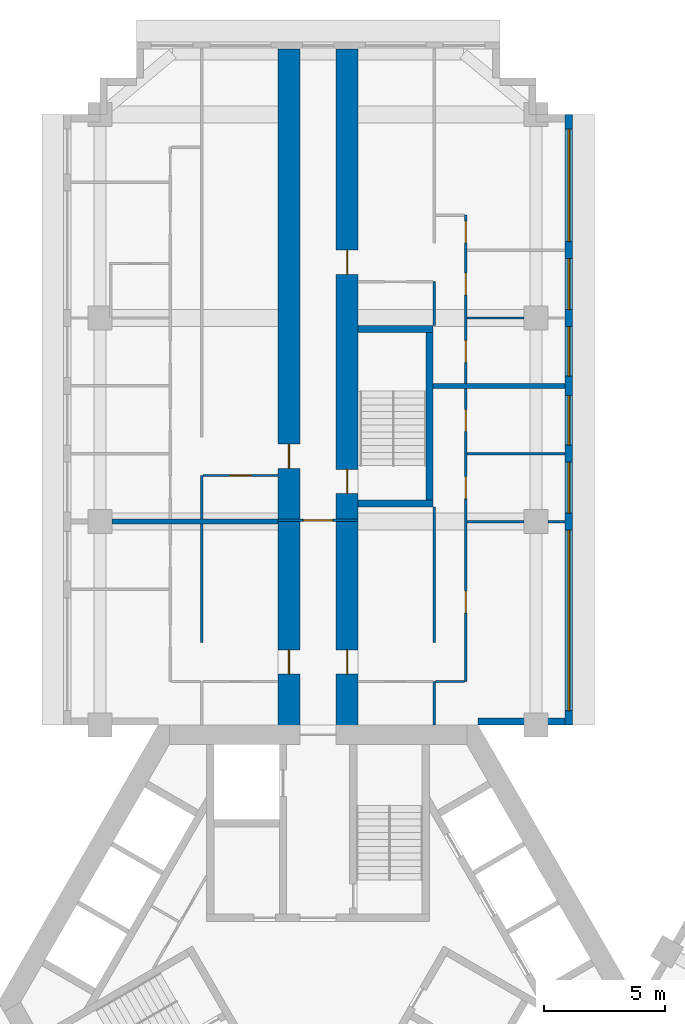
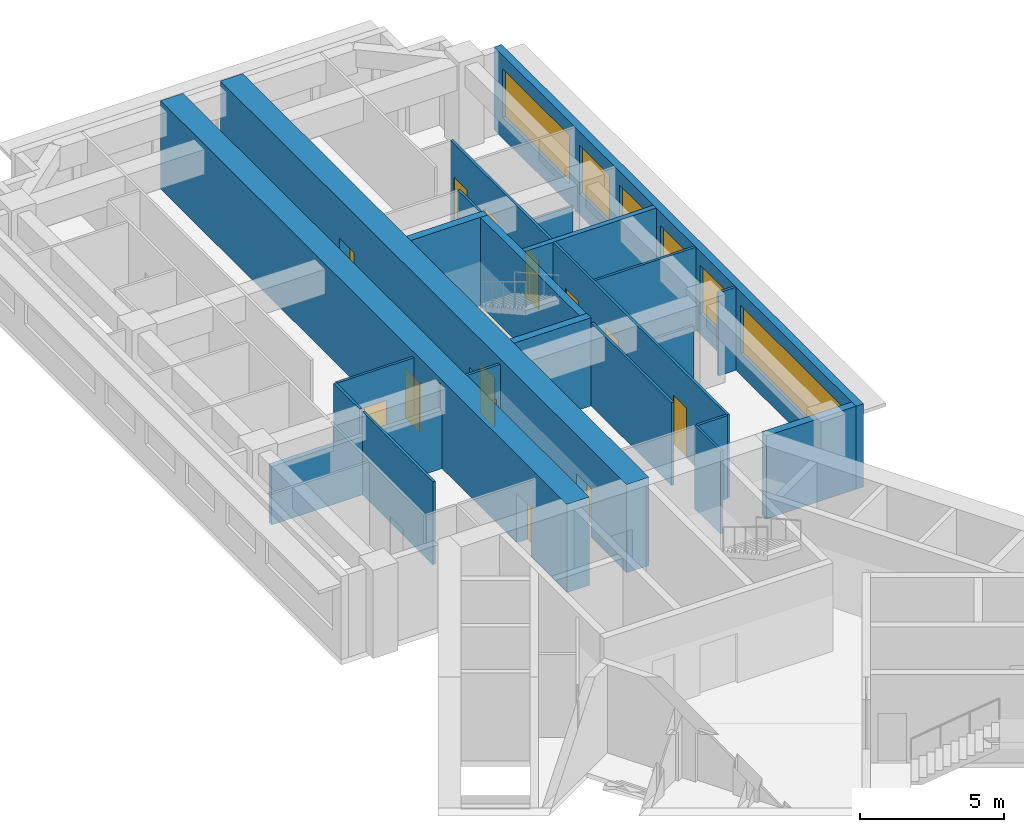
# One storey, part 9 of 12: 23 walls, 13 doors, 6 windows, 19 openings.
"""IFC4 building model written with IfcOpenShell, lengths in metres."""

from ifc_helpers import new_model, si_unit, direction, frame, frame_2d, origin, place, context, subcontext, project, spatial, rectangle, extrude, material, layer, layer_set, type_object, element, fill, save


model = new_model("IFC4")

# Units and contexts
model_context = context("Model", 3, precision=1e-05, world=origin(), true_north=direction((0.0, 1.0)))
body_context = subcontext(model_context, "Body", "Model", "MODEL_VIEW")
ifc_project = project(units=[si_unit("LENGTHUNIT", "METRE"), si_unit("AREAUNIT", "SQUARE_METRE"), si_unit("VOLUMEUNIT", "CUBIC_METRE"), si_unit("PLANEANGLEUNIT", "RADIAN"), si_unit("MASSUNIT", "GRAM", prefix="KILO")], contexts=[model_context])

# Site, building, storey
site_placement = place(None, origin())
site = spatial("IfcSite", under=ifc_project, at=site_placement, CompositionType="ELEMENT")
building_placement = place(site_placement, origin())
building = spatial("IfcBuilding", under=site, at=building_placement, Name="Impinga Residences", CompositionType="ELEMENT")
storey_placement = place(building_placement, frame((0.0, 0.0, 169.75)))
storey = spatial("IfcBuildingStorey", under=building, at=storey_placement, Name="L42", CompositionType="ELEMENT", Elevation=169.75)

# Wall, openings, doors
ifc_material_1 = material(Name="Concrete C60/75", Category="concrete")
ifc_layer_1 = layer(ifc_material_1, 0.89990234375)
ifc_layer_set_1 = layer_set([ifc_layer_1], Name="Concrete C60/75")
wall_type_1 = type_object("IfcWallType", Name="BW2 corridor buttress wall, L24 to L44 900", PredefinedType="SHEAR", material=ifc_layer_set_1)
wall_1_placement = place(storey_placement, frame((-1.199951171875, 11.031494140625, 0.0), z_axis=(0.0, 0.0, 1.0), x_axis=(0.0, 1.0, 0.0)))
wall_1 = element("IfcWall", 1, at=wall_1_placement, inside=storey, type_object=wall_type_1, Name="Corridor wall BW2 NC L42", PredefinedType="SHEAR", context=body_context, shape_type="SweptSolid", body=[
    extrude(rectangle(XDim=28.300048828125, YDim=0.89990234375, at=frame_2d((14.14990234375, 0.0))), origin(), (0.0, 0.0, 1.0), 3.75),
])
opening_1_placement = place(wall_1_placement, frame((2.5, 0.0, 0.0)))
opening_1 = element("IfcOpeningElement", 2, at=opening_1_placement, cuts=wall_1, Name="Opening D1", PredefinedType="OPENING", context=body_context, shape_type="SweptSolid", body=[
    extrude(rectangle(XDim=1.0, YDim=2.10009765625, at=frame_2d((0.5, 1.050048828125))), frame((0.0, 0.4599609375, 0.0), z_axis=(0.0, -1.0, 0.0), x_axis=(1.0, 0.0, 0.0)), (0.0, 0.0, 1.0), 0.919921875),
])
opening_2_placement = place(wall_1_placement, frame((11.0, 0.0, 0.0)))
opening_2 = element("IfcOpeningElement", 3, at=opening_2_placement, cuts=wall_1, Name="Opening D1", PredefinedType="OPENING", context=body_context, shape_type="SweptSolid", body=[
    extrude(rectangle(XDim=1.0, YDim=2.10009765625, at=frame_2d((0.5, 1.050048828125))), frame((0.0, 0.4599609375, 0.0), z_axis=(0.0, -1.0, 0.0), x_axis=(1.0, 0.0, 0.0)), (0.0, 0.0, 1.0), 0.919921875),
])
ifc_material_2 = material(Name="Timber door set", Category="wood")
door_type_1 = type_object("IfcDoorType", Name="D1 apartment entrance door 1000x2100", OperationType="SINGLE_SWING_LEFT", PredefinedType="DOOR", material=ifc_material_2)
door_1_placement = place(opening_1_placement, origin())
door_1 = element("IfcDoor", 4, at=door_1_placement, inside=storey, type_object=door_type_1, Name="Apartment L42-NA1 entrance", OperationType="SINGLE_SWING_LEFT", OverallHeight=2.10009765625, OverallWidth=1.0, PredefinedType="DOOR", context=body_context, shape_type="SweptSolid", body=[
    extrude(rectangle(XDim=1.0, YDim=2.10009765625, at=frame_2d((0.5, 1.050048828125))), frame((0.0, 0.02490234375, 0.0), z_axis=(0.0, -1.0, 0.0), x_axis=(1.0, 0.0, 0.0)), (0.0, 0.0, 1.0), 0.050048828125),
])
fill(opening_1, door_1)
door_2_placement = place(opening_2_placement, origin())
door_2 = element("IfcDoor", 5, at=door_2_placement, inside=storey, type_object=door_type_1, Name="Apartment L42-NA2 entrance", OperationType="SINGLE_SWING_LEFT", OverallHeight=2.10009765625, OverallWidth=1.0, PredefinedType="DOOR", context=body_context, shape_type="SweptSolid", body=[
    extrude(rectangle(XDim=1.0, YDim=2.10009765625, at=frame_2d((0.5, 1.050048828125))), frame((0.0, 0.02490234375, 0.0), z_axis=(0.0, -1.0, 0.0), x_axis=(1.0, 0.0, 0.0)), (0.0, 0.0, 1.0), 0.050048828125),
])
fill(opening_2, door_2)

wall_2_placement = place(storey_placement, frame((1.199951171875, 11.031494140625, 0.0), z_axis=(0.0, 0.0, 1.0), x_axis=(0.0, 1.0, 0.0)))
wall_2 = element("IfcWall", 6, at=wall_2_placement, inside=storey, type_object=wall_type_1, Name="Corridor wall BW2 ND L42", PredefinedType="SHEAR", context=body_context, shape_type="SweptSolid", body=[
    extrude(rectangle(XDim=28.300048828125, YDim=0.89990234375, at=frame_2d((14.14990234375, 0.0))), origin(), (0.0, 0.0, 1.0), 3.75),
])
opening_3_placement = place(wall_2_placement, frame((9.949951171875, 0.0, 0.0)))
opening_3 = element("IfcOpeningElement", 7, at=opening_3_placement, cuts=wall_2, Name="Opening D5", PredefinedType="OPENING", context=body_context, shape_type="SweptSolid", body=[
    extrude(rectangle(XDim=1.0, YDim=2.10009765625, at=frame_2d((0.5, 1.050048828125))), frame((0.0, 0.4599609375, 0.0), z_axis=(0.0, -1.0, 0.0), x_axis=(1.0, 0.0, 0.0)), (0.0, 0.0, 1.0), 0.919921875),
])
opening_4_placement = place(wall_2_placement, frame((2.5, 0.0, 0.0)))
opening_4 = element("IfcOpeningElement", 8, at=opening_4_placement, cuts=wall_2, Name="Opening D1", PredefinedType="OPENING", context=body_context, shape_type="SweptSolid", body=[
    extrude(rectangle(XDim=1.0, YDim=2.10009765625, at=frame_2d((0.5, 1.050048828125))), frame((0.0, 0.4599609375, 0.0), z_axis=(0.0, -1.0, 0.0), x_axis=(1.0, 0.0, 0.0)), (0.0, 0.0, 1.0), 0.919921875),
])
opening_5_placement = place(wall_2_placement, frame((19.0, 0.0, 0.0)))
opening_5 = element("IfcOpeningElement", 9, at=opening_5_placement, cuts=wall_2, Name="Opening D1", PredefinedType="OPENING", context=body_context, shape_type="SweptSolid", body=[
    extrude(rectangle(XDim=1.0, YDim=2.10009765625, at=frame_2d((0.5, 1.050048828125))), frame((0.0, 0.4599609375, 0.0), z_axis=(0.0, -1.0, 0.0), x_axis=(1.0, 0.0, 0.0)), (0.0, 0.0, 1.0), 0.919921875),
])
door_3_placement = place(opening_4_placement, origin())
door_3 = element("IfcDoor", 10, at=door_3_placement, inside=storey, type_object=door_type_1, Name="Apartment L42-NF1 entrance", OperationType="SINGLE_SWING_LEFT", OverallHeight=2.10009765625, OverallWidth=1.0, PredefinedType="DOOR", context=body_context, shape_type="SweptSolid", body=[
    extrude(rectangle(XDim=1.0, YDim=2.10009765625, at=frame_2d((0.5, 1.050048828125))), frame((0.0, 0.02490234375, 0.0), z_axis=(0.0, -1.0, 0.0), x_axis=(1.0, 0.0, 0.0)), (0.0, 0.0, 1.0), 0.050048828125),
])
fill(opening_4, door_3)
door_4_placement = place(opening_5_placement, origin())
door_4 = element("IfcDoor", 11, at=door_4_placement, inside=storey, type_object=door_type_1, Name="Apartment L42-NF2 entrance", OperationType="SINGLE_SWING_RIGHT", OverallHeight=2.10009765625, OverallWidth=1.0, PredefinedType="DOOR", context=body_context, shape_type="SweptSolid", body=[
    extrude(rectangle(XDim=1.0, YDim=2.10009765625, at=frame_2d((0.5, 1.050048828125))), frame((0.0, 0.02490234375, 0.0), z_axis=(0.0, -1.0, 0.0), x_axis=(1.0, 0.0, 0.0)), (0.0, 0.0, 1.0), 0.050048828125),
])
fill(opening_5, door_4)
door_type_2 = type_object("IfcDoorType", Name="D5 stair door 1000x2100", OperationType="SINGLE_SWING_LEFT", PredefinedType="DOOR", material=ifc_material_2)
door_5_placement = place(opening_3_placement, origin())
door_5 = element("IfcDoor", 12, at=door_5_placement, inside=storey, type_object=door_type_2, Name="Wing stair door N", OperationType="SINGLE_SWING_LEFT", OverallHeight=2.10009765625, OverallWidth=1.0, PredefinedType="DOOR", context=body_context, shape_type="SweptSolid", body=[
    extrude(rectangle(XDim=1.0, YDim=2.10009765625, at=frame_2d((0.5, 1.050048828125))), frame((0.0, 0.02490234375, 0.0), z_axis=(0.0, -1.0, 0.0), x_axis=(1.0, 0.0, 0.0)), (0.0, 0.0, 1.0), 0.050048828125),
])
fill(opening_3, door_5)

# Wall, opening, door
ifc_material_3 = material(Name="Concrete blockwork", Category="masonry")
ifc_layer_2 = layer(ifc_material_3, 0.10009765625)
ifc_layer_set_2 = layer_set([ifc_layer_2], Name="CP1 core room partition, blockwork 100")
wall_type_2 = type_object("IfcWallType", Name="CP1 core room partition, blockwork 100", PredefinedType="PARTITIONING", material=ifc_layer_set_2)
wall_3_placement = place(storey_placement, frame((-1.64990234375, 19.882080078125, 0.0), z_axis=(0.0, 0.0, 1.0), x_axis=(1.0, 0.0, 0.0)))
wall_3 = element("IfcWall", 13, at=wall_3_placement, inside=storey, type_object=wall_type_2, Name="Core room partition, blockwork L42:N:SCR", PredefinedType="PARTITIONING", context=body_context, shape_type="SweptSolid", body=[
    extrude(rectangle(XDim=3.2998046875, YDim=0.10009765625, at=frame_2d((1.64990234375, 0.0))), origin(), (0.0, 0.0, 1.0), 3.530029296875),
])
opening_6_placement = place(wall_3_placement, frame((1.050048828125, 0.0, 0.0)))
opening_6 = element("IfcOpeningElement", 14, at=opening_6_placement, cuts=wall_3, Name="Opening D3", PredefinedType="OPENING", context=body_context, shape_type="SweptSolid", body=[
    extrude(rectangle(XDim=1.199951171875, YDim=2.10009765625, at=frame_2d((0.60009765625, 1.050048828125))), frame((0.0, 0.06005859375, 0.0), z_axis=(0.0, -1.0, 0.0), x_axis=(1.0, 0.0, 0.0)), (0.0, 0.0, 1.0), 0.1201171875),
])
door_type_3 = type_object("IfcDoorType", Name="D3 room door, leaf and a half 1200x2100", OperationType="DOUBLE_SWING_LEFT", PredefinedType="DOOR", material=ifc_material_2)
door_6_placement = place(opening_6_placement, origin())
door_6 = element("IfcDoor", 15, at=door_6_placement, inside=storey, type_object=door_type_3, Name="Corridor smoke door N", OperationType="DOUBLE_SWING_LEFT", OverallHeight=2.10009765625, OverallWidth=1.199951171875, PredefinedType="DOOR", context=body_context, shape_type="SweptSolid", body=[
    extrude(rectangle(XDim=1.199951171875, YDim=2.10009765625, at=frame_2d((0.60009765625, 1.050048828125))), frame((0.0, 0.02490234375, 0.0), z_axis=(0.0, -1.0, 0.0), x_axis=(1.0, 0.0, 0.0)), (0.0, 0.0, 1.0), 0.050048828125),
])
fill(opening_6, door_6)

# Wall, openings, windows
ifc_material_4 = material(Name="Terracotta rainscreen on blockwork", Category="masonry")
ifc_layer_3 = layer(ifc_material_4, 0.300048828125)
ifc_layer_set_3 = layer_set([ifc_layer_3], Name="EW1 external wall, terracotta rainscreen on blockwork 300")
wall_type_3 = type_object("IfcWallType", Name="EW1 external wall, terracotta rainscreen on blockwork 300", PredefinedType="SOLIDWALL", material=ifc_layer_set_3)
wall_4_placement = place(storey_placement, frame((10.35009765625, 36.631591796875, 0.0), z_axis=(0.0, 0.0, 1.0), x_axis=(0.0, -1.0, 0.0)))
wall_4 = element("IfcWall", 16, at=wall_4_placement, inside=storey, type_object=wall_type_3, Name="External wall EW1 L42", PredefinedType="SOLIDWALL", context=body_context, shape_type="SweptSolid", body=[
    extrude(rectangle(XDim=25.199951171875, YDim=0.300048828125, at=frame_2d((12.60009765625, 0.0))), origin(), (0.0, 0.0, 1.0), 3.530029296875),
])
opening_7_placement = place(wall_4_placement, frame((0.60009765625, 0.0, 0.89990234375)))
opening_7 = element("IfcOpeningElement", 17, at=opening_7_placement, cuts=wall_4, Name="Opening W10", PredefinedType="OPENING", context=body_context, shape_type="SweptSolid", body=[
    extrude(rectangle(XDim=4.64990234375, YDim=2.050048828125, at=frame_2d((2.324951171875, 1.02490234375))), frame((0.0, 0.159912109375, 0.0), z_axis=(0.0, -1.0, 0.0), x_axis=(1.0, 0.0, 0.0)), (0.0, 0.0, 1.0), 0.320068359375),
])
opening_8_placement = place(wall_4_placement, frame((5.949951171875, 0.0, 0.89990234375)))
opening_8 = element("IfcOpeningElement", 18, at=opening_8_placement, cuts=wall_4, Name="Opening W9", PredefinedType="OPENING", context=body_context, shape_type="SweptSolid", body=[
    extrude(rectangle(XDim=2.10009765625, YDim=2.050048828125, at=frame_2d((1.050048828125, 1.02490234375))), frame((0.0, 0.159912109375, 0.0), z_axis=(0.0, -1.0, 0.0), x_axis=(1.0, 0.0, 0.0)), (0.0, 0.0, 1.0), 0.320068359375),
])
opening_9_placement = place(wall_4_placement, frame((8.75, 0.0, 0.89990234375)))
opening_9 = element("IfcOpeningElement", 19, at=opening_9_placement, cuts=wall_4, Name="Opening W14", PredefinedType="OPENING", context=body_context, shape_type="SweptSolid", body=[
    extrude(rectangle(XDim=2.050048828125, YDim=2.050048828125, at=frame_2d((1.02490234375, 1.02490234375))), frame((0.0, 0.159912109375, 0.0), z_axis=(0.0, -1.0, 0.0), x_axis=(1.0, 0.0, 0.0)), (0.0, 0.0, 1.0), 0.320068359375),
])
opening_10_placement = place(wall_4_placement, frame((11.60009765625, 0.0, 0.89990234375)))
opening_10 = element("IfcOpeningElement", 20, at=opening_10_placement, cuts=wall_4, Name="Opening W14", PredefinedType="OPENING", context=body_context, shape_type="SweptSolid", body=[
    extrude(rectangle(XDim=2.050048828125, YDim=2.050048828125, at=frame_2d((1.02490234375, 1.02490234375))), frame((0.0, 0.159912109375, 0.0), z_axis=(0.0, -1.0, 0.0), x_axis=(1.0, 0.0, 0.0)), (0.0, 0.0, 1.0), 0.320068359375),
])
opening_11_placement = place(wall_4_placement, frame((14.35009765625, 0.0, 0.89990234375)))
opening_11 = element("IfcOpeningElement", 21, at=opening_11_placement, cuts=wall_4, Name="Opening W9", PredefinedType="OPENING", context=body_context, shape_type="SweptSolid", body=[
    extrude(rectangle(XDim=2.10009765625, YDim=2.050048828125, at=frame_2d((1.050048828125, 1.02490234375))), frame((0.0, 0.159912109375, 0.0), z_axis=(0.0, -1.0, 0.0), x_axis=(1.0, 0.0, 0.0)), (0.0, 0.0, 1.0), 0.320068359375),
])
opening_12_placement = place(wall_4_placement, frame((17.14990234375, 0.0, 0.89990234375)))
opening_12 = element("IfcOpeningElement", 22, at=opening_12_placement, cuts=wall_4, Name="Opening W7", PredefinedType="OPENING", context=body_context, shape_type="SweptSolid", body=[
    extrude(rectangle(XDim=7.449951171875, YDim=2.050048828125, at=frame_2d((3.72509765625, 1.02490234375))), frame((0.0, 0.159912109375, 0.0), z_axis=(0.0, -1.0, 0.0), x_axis=(1.0, 0.0, 0.0)), (0.0, 0.0, 1.0), 0.320068359375),
])
ifc_material_5 = material(Name="Aluminium window, clear double glazing", Category="aluminium")
window_type_1 = type_object("IfcWindowType", Name="W10 ribbon window 4650x2050", PartitioningType="SINGLE_PANEL", PredefinedType="WINDOW", material=ifc_material_5)
window_1_placement = place(opening_7_placement, origin())
window_1 = element("IfcWindow", 23, at=window_1_placement, inside=storey, type_object=window_type_1, Name="Window L42", OverallHeight=2.050048828125, OverallWidth=4.64990234375, PartitioningType="SINGLE_PANEL", PredefinedType="WINDOW", context=body_context, shape_type="SweptSolid", body=[
    extrude(rectangle(XDim=4.64990234375, YDim=2.050048828125, at=frame_2d((2.324951171875, 1.02490234375))), frame((0.0, 0.030029296875, 0.0), z_axis=(0.0, -1.0, 0.0), x_axis=(1.0, 0.0, 0.0)), (0.0, 0.0, 1.0), 0.06005859375),
])
fill(opening_7, window_1)
window_type_2 = type_object("IfcWindowType", Name="W14 ribbon window 2050x2050", PartitioningType="SINGLE_PANEL", PredefinedType="WINDOW", material=ifc_material_5)
window_2_placement = place(opening_9_placement, origin())
window_2 = element("IfcWindow", 24, at=window_2_placement, inside=storey, type_object=window_type_2, Name="Window L42", OverallHeight=2.050048828125, OverallWidth=2.050048828125, PartitioningType="SINGLE_PANEL", PredefinedType="WINDOW", context=body_context, shape_type="SweptSolid", body=[
    extrude(rectangle(XDim=2.050048828125, YDim=2.050048828125, at=frame_2d((1.02490234375, 1.02490234375))), frame((0.0, 0.030029296875, 0.0), z_axis=(0.0, -1.0, 0.0), x_axis=(1.0, 0.0, 0.0)), (0.0, 0.0, 1.0), 0.06005859375),
])
fill(opening_9, window_2)
window_3_placement = place(opening_10_placement, origin())
window_3 = element("IfcWindow", 25, at=window_3_placement, inside=storey, type_object=window_type_2, Name="Window L42", OverallHeight=2.050048828125, OverallWidth=2.050048828125, PartitioningType="SINGLE_PANEL", PredefinedType="WINDOW", context=body_context, shape_type="SweptSolid", body=[
    extrude(rectangle(XDim=2.050048828125, YDim=2.050048828125, at=frame_2d((1.02490234375, 1.02490234375))), frame((0.0, 0.030029296875, 0.0), z_axis=(0.0, -1.0, 0.0), x_axis=(1.0, 0.0, 0.0)), (0.0, 0.0, 1.0), 0.06005859375),
])
fill(opening_10, window_3)
window_type_3 = type_object("IfcWindowType", Name="W7 ribbon window 7450x2050", PartitioningType="SINGLE_PANEL", PredefinedType="WINDOW", material=ifc_material_5)
window_4_placement = place(opening_12_placement, origin())
window_4 = element("IfcWindow", 26, at=window_4_placement, inside=storey, type_object=window_type_3, Name="Window L42", OverallHeight=2.050048828125, OverallWidth=7.449951171875, PartitioningType="SINGLE_PANEL", PredefinedType="WINDOW", context=body_context, shape_type="SweptSolid", body=[
    extrude(rectangle(XDim=7.449951171875, YDim=2.050048828125, at=frame_2d((3.72509765625, 1.02490234375))), frame((0.0, 0.030029296875, 0.0), z_axis=(0.0, -1.0, 0.0), x_axis=(1.0, 0.0, 0.0)), (0.0, 0.0, 1.0), 0.06005859375),
])
fill(opening_12, window_4)
window_type_4 = type_object("IfcWindowType", Name="W9 ribbon window 2100x2050", PartitioningType="SINGLE_PANEL", PredefinedType="WINDOW", material=ifc_material_5)
window_5_placement = place(opening_8_placement, origin())
window_5 = element("IfcWindow", 27, at=window_5_placement, inside=storey, type_object=window_type_4, Name="Window L42", OverallHeight=2.050048828125, OverallWidth=2.10009765625, PartitioningType="SINGLE_PANEL", PredefinedType="WINDOW", context=body_context, shape_type="SweptSolid", body=[
    extrude(rectangle(XDim=2.10009765625, YDim=2.050048828125, at=frame_2d((1.050048828125, 1.02490234375))), frame((0.0, 0.030029296875, 0.0), z_axis=(0.0, -1.0, 0.0), x_axis=(1.0, 0.0, 0.0)), (0.0, 0.0, 1.0), 0.06005859375),
])
fill(opening_8, window_5)
window_6_placement = place(opening_11_placement, origin())
window_6 = element("IfcWindow", 28, at=window_6_placement, inside=storey, type_object=window_type_4, Name="Window L42", OverallHeight=2.050048828125, OverallWidth=2.10009765625, PartitioningType="SINGLE_PANEL", PredefinedType="WINDOW", context=body_context, shape_type="SweptSolid", body=[
    extrude(rectangle(XDim=2.10009765625, YDim=2.050048828125, at=frame_2d((1.050048828125, 1.02490234375))), frame((0.0, 0.030029296875, 0.0), z_axis=(0.0, -1.0, 0.0), x_axis=(1.0, 0.0, 0.0)), (0.0, 0.0, 1.0), 0.06005859375),
])
fill(opening_11, window_6)

# Walls
wall_5_placement = place(storey_placement, frame((10.199951171875, 11.58154296875, 0.0), z_axis=(0.0, 0.0, 1.0), x_axis=(-1.0, 0.0, 0.0)))
element("IfcWall", 29, at=wall_5_placement, inside=storey, type_object=wall_type_3, Name="External wall EW1 L42", PredefinedType="SOLIDWALL", context=body_context, shape_type="SweptSolid", body=[
    extrude(rectangle(XDim=3.599853515625, YDim=0.300048828125, at=frame_2d((1.7998046875, 0.0))), origin(), (0.0, 0.0, 1.0), 3.530029296875),
])
ifc_material_6 = material(Name="Gypsum board on steel studs", Category="steel")
ifc_layer_4 = layer(ifc_material_6, 0.10009765625)
ifc_layer_set_4 = layer_set([ifc_layer_4], Name="Gypsum board on steel studs")
wall_type_4 = type_object("IfcWallType", Name="IP1 partition 100", PredefinedType="PARTITIONING", material=ifc_layer_set_4)
wall_6_placement = place(storey_placement, frame((-4.800048828125, 14.83154296875, 0.0), z_axis=(0.0, 0.0, 1.0), x_axis=(0.0, 1.0, 0.0)))
element("IfcWall", 30, at=wall_6_placement, inside=storey, type_object=wall_type_4, Name="Partition L42-NA1:DIV1", PredefinedType="PARTITIONING", context=body_context, shape_type="SweptSolid", body=[
    extrude(rectangle(XDim=4.89990234375, YDim=0.10009765625, at=frame_2d((2.449951171875, 0.0))), origin(), (0.0, 0.0, 1.0), 3.530029296875),
])
wall_7_placement = place(storey_placement, frame((-4.800048828125, 19.931640625, 0.0), z_axis=(0.0, 0.0, 1.0), x_axis=(0.0, 1.0, 0.0)))
element("IfcWall", 31, at=wall_7_placement, inside=storey, type_object=wall_type_4, Name="Partition L42-NA2:DIV0", PredefinedType="PARTITIONING", context=body_context, shape_type="SweptSolid", body=[
    extrude(rectangle(XDim=1.7998046875, YDim=0.10009765625, at=frame_2d((0.89990234375, 0.0))), origin(), (0.0, 0.0, 1.0), 3.530029296875),
])

# Wall, opening, door
wall_8_placement = place(storey_placement, frame((-1.64990234375, 21.7314453125, 0.0), z_axis=(0.0, 0.0, 1.0), x_axis=(-1.0, 0.0, 0.0)))
wall_8 = element("IfcWall", 32, at=wall_8_placement, inside=storey, type_object=wall_type_4, Name="Partition L42-NA2:IB1", PredefinedType="PARTITIONING", context=body_context, shape_type="SweptSolid", body=[
    extrude(rectangle(XDim=3.10009765625, YDim=0.10009765625, at=frame_2d((1.550048828125, 0.0))), origin(), (0.0, 0.0, 1.0), 3.530029296875),
])
opening_13_placement = place(wall_8_placement, frame((1.10009765625, 0.0, 0.0)))
opening_13 = element("IfcOpeningElement", 33, at=opening_13_placement, cuts=wall_8, Name="Opening D2", PredefinedType="OPENING", context=body_context, shape_type="SweptSolid", body=[
    extrude(rectangle(XDim=0.89990234375, YDim=2.10009765625, at=frame_2d((0.449951171875, 1.050048828125))), frame((0.0, 0.06005859375, 0.0), z_axis=(0.0, -1.0, 0.0), x_axis=(1.0, 0.0, 0.0)), (0.0, 0.0, 1.0), 0.1201171875),
])
door_type_4 = type_object("IfcDoorType", Name="D2 internal door 900x2100", OperationType="SINGLE_SWING_LEFT", PredefinedType="DOOR", material=ifc_material_2)
door_7_placement = place(opening_13_placement, origin())
door_7 = element("IfcDoor", 34, at=door_7_placement, inside=storey, type_object=door_type_4, Name="Apartment L42-NA2 bathroom door", OperationType="SINGLE_SWING_LEFT", OverallHeight=2.10009765625, OverallWidth=0.89990234375, PredefinedType="DOOR", context=body_context, shape_type="SweptSolid", body=[
    extrude(rectangle(XDim=0.89990234375, YDim=2.10009765625, at=frame_2d((0.449951171875, 1.050048828125))), frame((0.0, 0.02490234375, 0.0), z_axis=(0.0, -1.0, 0.0), x_axis=(1.0, 0.0, 0.0)), (0.0, 0.0, 1.0), 0.050048828125),
])
fill(opening_13, door_7)

# Walls
wall_9_placement = place(storey_placement, frame((4.800048828125, 11.431640625, 0.0), z_axis=(0.0, 0.0, 1.0), x_axis=(0.0, 1.0, 0.0)))
element("IfcWall", 35, at=wall_9_placement, inside=storey, type_object=wall_type_4, Name="Partition L42-NF1:DIV0", PredefinedType="PARTITIONING", context=body_context, shape_type="SweptSolid", body=[
    extrude(rectangle(XDim=1.7998046875, YDim=0.10009765625, at=frame_2d((0.89990234375, 0.0))), origin(), (0.0, 0.0, 1.0), 3.530029296875),
])
wall_10_placement = place(storey_placement, frame((4.800048828125, 14.83154296875, 0.0), z_axis=(0.0, 0.0, 1.0), x_axis=(0.0, 1.0, 0.0)))
element("IfcWall", 36, at=wall_10_placement, inside=storey, type_object=wall_type_4, Name="Partition L42-NF1:DIV1", PredefinedType="PARTITIONING", context=body_context, shape_type="SweptSolid", body=[
    extrude(rectangle(XDim=5.60009765625, YDim=0.10009765625, at=frame_2d((2.800048828125, 0.0))), origin(), (0.0, 0.0, 1.0), 3.530029296875),
])

# Wall, openings, doors
wall_11_placement = place(storey_placement, frame((6.10009765625, 13.2314453125, 0.0), z_axis=(0.0, 0.0, 1.0), x_axis=(0.0, 1.0, 0.0)))
wall_11 = element("IfcWall", 37, at=wall_11_placement, inside=storey, type_object=wall_type_4, Name="Partition L42-NF1:STRIP", PredefinedType="PARTITIONING", context=body_context, shape_type="SweptSolid", body=[
    extrude(rectangle(XDim=12.10009765625, YDim=0.10009765625, at=frame_2d((6.050048828125, 0.0))), origin(), (0.0, 0.0, 1.0), 3.530029296875),
])
opening_14_placement = place(wall_11_placement, frame((2.824951171875, 0.0, 0.0)))
opening_14 = element("IfcOpeningElement", 38, at=opening_14_placement, cuts=wall_11, Name="Opening D2", PredefinedType="OPENING", context=body_context, shape_type="SweptSolid", body=[
    extrude(rectangle(XDim=0.89990234375, YDim=2.10009765625, at=frame_2d((0.449951171875, 1.050048828125))), frame((0.0, 0.06005859375, 0.0), z_axis=(0.0, -1.0, 0.0), x_axis=(1.0, 0.0, 0.0)), (0.0, 0.0, 1.0), 0.1201171875),
])
opening_15_placement = place(wall_11_placement, frame((7.550048828125, 0.0, 0.0)))
opening_15 = element("IfcOpeningElement", 39, at=opening_15_placement, cuts=wall_11, Name="Opening D2", PredefinedType="OPENING", context=body_context, shape_type="SweptSolid", body=[
    extrude(rectangle(XDim=0.89990234375, YDim=2.10009765625, at=frame_2d((0.449951171875, 1.050048828125))), frame((0.0, 0.06005859375, 0.0), z_axis=(0.0, -1.0, 0.0), x_axis=(1.0, 0.0, 0.0)), (0.0, 0.0, 1.0), 0.1201171875),
])
opening_16_placement = place(wall_11_placement, frame((10.324951171875, 0.0, 0.0)))
opening_16 = element("IfcOpeningElement", 40, at=opening_16_placement, cuts=wall_11, Name="Opening D2", PredefinedType="OPENING", context=body_context, shape_type="SweptSolid", body=[
    extrude(rectangle(XDim=0.89990234375, YDim=2.10009765625, at=frame_2d((0.449951171875, 1.050048828125))), frame((0.0, 0.06005859375, 0.0), z_axis=(0.0, -1.0, 0.0), x_axis=(1.0, 0.0, 0.0)), (0.0, 0.0, 1.0), 0.1201171875),
])
door_8_placement = place(opening_14_placement, origin())
door_8 = element("IfcDoor", 41, at=door_8_placement, inside=storey, type_object=door_type_4, Name="Apartment L42-NF1 room door", OperationType="SINGLE_SWING_LEFT", OverallHeight=2.10009765625, OverallWidth=0.89990234375, PredefinedType="DOOR", context=body_context, shape_type="SweptSolid", body=[
    extrude(rectangle(XDim=0.89990234375, YDim=2.10009765625, at=frame_2d((0.449951171875, 1.050048828125))), frame((0.0, 0.02490234375, 0.0), z_axis=(0.0, -1.0, 0.0), x_axis=(1.0, 0.0, 0.0)), (0.0, 0.0, 1.0), 0.050048828125),
])
fill(opening_14, door_8)
door_9_placement = place(opening_15_placement, origin())
door_9 = element("IfcDoor", 42, at=door_9_placement, inside=storey, type_object=door_type_4, Name="Apartment L42-NF1 room door", OperationType="SINGLE_SWING_RIGHT", OverallHeight=2.10009765625, OverallWidth=0.89990234375, PredefinedType="DOOR", context=body_context, shape_type="SweptSolid", body=[
    extrude(rectangle(XDim=0.89990234375, YDim=2.10009765625, at=frame_2d((0.449951171875, 1.050048828125))), frame((0.0, 0.02490234375, 0.0), z_axis=(0.0, -1.0, 0.0), x_axis=(1.0, 0.0, 0.0)), (0.0, 0.0, 1.0), 0.050048828125),
])
fill(opening_15, door_9)
door_10_placement = place(opening_16_placement, origin())
door_10 = element("IfcDoor", 43, at=door_10_placement, inside=storey, type_object=door_type_4, Name="Apartment L42-NF1 room door", OperationType="SINGLE_SWING_RIGHT", OverallHeight=2.10009765625, OverallWidth=0.89990234375, PredefinedType="DOOR", context=body_context, shape_type="SweptSolid", body=[
    extrude(rectangle(XDim=0.89990234375, YDim=2.10009765625, at=frame_2d((0.449951171875, 1.050048828125))), frame((0.0, 0.02490234375, 0.0), z_axis=(0.0, -1.0, 0.0), x_axis=(1.0, 0.0, 0.0)), (0.0, 0.0, 1.0), 0.050048828125),
])
fill(opening_16, door_10)

# Walls
wall_12_placement = place(storey_placement, frame((4.85009765625, 13.2314453125, 0.0), z_axis=(0.0, 0.0, 1.0), x_axis=(1.0, 0.0, 0.0)))
element("IfcWall", 44, at=wall_12_placement, inside=storey, type_object=wall_type_4, Name="Partition L42-NF1:SE0", PredefinedType="PARTITIONING", context=body_context, shape_type="SweptSolid", body=[
    extrude(rectangle(XDim=1.199951171875, YDim=0.10009765625, at=frame_2d((0.60009765625, 0.0))), origin(), (0.0, 0.0, 1.0), 3.530029296875),
])
wall_13_placement = place(storey_placement, frame((6.14990234375, 19.83154296875, 0.0), z_axis=(0.0, 0.0, 1.0), x_axis=(1.0, 0.0, 0.0)))
element("IfcWall", 45, at=wall_13_placement, inside=storey, type_object=wall_type_4, Name="Partition L42-NF1:OB1", PredefinedType="PARTITIONING", context=body_context, shape_type="SweptSolid", body=[
    extrude(rectangle(XDim=2.35009765625, YDim=0.10009765625, at=frame_2d((1.175048828125, 0.0))), origin(), (0.0, 0.0, 1.0), 2.47998046875),
])
wall_14_placement = place(storey_placement, frame((9.5, 19.83154296875, 0.0), z_axis=(0.0, 0.0, 1.0), x_axis=(1.0, 0.0, 0.0)))
element("IfcWall", 46, at=wall_14_placement, inside=storey, type_object=wall_type_4, Name="Partition L42-NF1:OB1b", PredefinedType="PARTITIONING", context=body_context, shape_type="SweptSolid", body=[
    extrude(rectangle(XDim=0.699951171875, YDim=0.10009765625, at=frame_2d((0.35009765625, 0.0))), origin(), (0.0, 0.0, 1.0), 3.530029296875),
])
wall_15_placement = place(storey_placement, frame((6.14990234375, 22.631591796875, 0.0), z_axis=(0.0, 0.0, 1.0), x_axis=(1.0, 0.0, 0.0)))
element("IfcWall", 47, at=wall_15_placement, inside=storey, type_object=wall_type_4, Name="Partition L42-NF1:OB2", PredefinedType="PARTITIONING", context=body_context, shape_type="SweptSolid", body=[
    extrude(rectangle(XDim=4.050048828125, YDim=0.10009765625, at=frame_2d((2.02490234375, 0.0))), origin(), (0.0, 0.0, 1.0), 3.530029296875),
])
wall_16_placement = place(storey_placement, frame((4.800048828125, 27.931640625, 0.0), z_axis=(0.0, 0.0, 1.0), x_axis=(0.0, 1.0, 0.0)))
element("IfcWall", 48, at=wall_16_placement, inside=storey, type_object=wall_type_4, Name="Partition L42-NF2:DIV0", PredefinedType="PARTITIONING", context=body_context, shape_type="SweptSolid", body=[
    extrude(rectangle(XDim=1.7998046875, YDim=0.10009765625, at=frame_2d((0.89990234375, 0.0))), origin(), (0.0, 0.0, 1.0), 3.530029296875),
])

# Wall, openings, doors
wall_17_placement = place(storey_placement, frame((6.10009765625, 25.531494140625, 0.0), z_axis=(0.0, 0.0, 1.0), x_axis=(0.0, 1.0, 0.0)))
wall_17 = element("IfcWall", 49, at=wall_17_placement, inside=storey, type_object=wall_type_4, Name="Partition L42-NF2:STRIP", PredefinedType="PARTITIONING", context=body_context, shape_type="SweptSolid", body=[
    extrude(rectangle(XDim=6.949951171875, YDim=0.10009765625, at=frame_2d((3.47509765625, 0.0))), origin(), (0.0, 0.0, 1.0), 3.530029296875),
])
opening_17_placement = place(wall_17_placement, frame((0.875, 0.0, 0.0)))
opening_17 = element("IfcOpeningElement", 50, at=opening_17_placement, cuts=wall_17, Name="Opening D2", PredefinedType="OPENING", context=body_context, shape_type="SweptSolid", body=[
    extrude(rectangle(XDim=0.89990234375, YDim=2.10009765625, at=frame_2d((0.449951171875, 1.050048828125))), frame((0.0, 0.06005859375, 0.0), z_axis=(0.0, -1.0, 0.0), x_axis=(1.0, 0.0, 0.0)), (0.0, 0.0, 1.0), 0.1201171875),
])
opening_18_placement = place(wall_17_placement, frame((3.64990234375, 0.0, 0.0)))
opening_18 = element("IfcOpeningElement", 51, at=opening_18_placement, cuts=wall_17, Name="Opening D2", PredefinedType="OPENING", context=body_context, shape_type="SweptSolid", body=[
    extrude(rectangle(XDim=0.89990234375, YDim=2.10009765625, at=frame_2d((0.449951171875, 1.050048828125))), frame((0.0, 0.06005859375, 0.0), z_axis=(0.0, -1.0, 0.0), x_axis=(1.0, 0.0, 0.0)), (0.0, 0.0, 1.0), 0.1201171875),
])
opening_19_placement = place(wall_17_placement, frame((5.800048828125, 0.0, 0.0)))
opening_19 = element("IfcOpeningElement", 52, at=opening_19_placement, cuts=wall_17, Name="Opening D2", PredefinedType="OPENING", context=body_context, shape_type="SweptSolid", body=[
    extrude(rectangle(XDim=0.89990234375, YDim=2.10009765625, at=frame_2d((0.449951171875, 1.050048828125))), frame((0.0, 0.06005859375, 0.0), z_axis=(0.0, -1.0, 0.0), x_axis=(1.0, 0.0, 0.0)), (0.0, 0.0, 1.0), 0.1201171875),
])
door_11_placement = place(opening_17_placement, origin())
door_11 = element("IfcDoor", 53, at=door_11_placement, inside=storey, type_object=door_type_4, Name="Apartment L42-NF2 room door", OperationType="SINGLE_SWING_LEFT", OverallHeight=2.10009765625, OverallWidth=0.89990234375, PredefinedType="DOOR", context=body_context, shape_type="SweptSolid", body=[
    extrude(rectangle(XDim=0.89990234375, YDim=2.10009765625, at=frame_2d((0.449951171875, 1.050048828125))), frame((0.0, 0.02490234375, 0.0), z_axis=(0.0, -1.0, 0.0), x_axis=(1.0, 0.0, 0.0)), (0.0, 0.0, 1.0), 0.050048828125),
])
fill(opening_17, door_11)
door_12_placement = place(opening_18_placement, origin())
door_12 = element("IfcDoor", 54, at=door_12_placement, inside=storey, type_object=door_type_4, Name="Apartment L42-NF2 room door", OperationType="SINGLE_SWING_RIGHT", OverallHeight=2.10009765625, OverallWidth=0.89990234375, PredefinedType="DOOR", context=body_context, shape_type="SweptSolid", body=[
    extrude(rectangle(XDim=0.89990234375, YDim=2.10009765625, at=frame_2d((0.449951171875, 1.050048828125))), frame((0.0, 0.02490234375, 0.0), z_axis=(0.0, -1.0, 0.0), x_axis=(1.0, 0.0, 0.0)), (0.0, 0.0, 1.0), 0.050048828125),
])
fill(opening_18, door_12)
door_13_placement = place(opening_19_placement, origin())
door_13 = element("IfcDoor", 55, at=door_13_placement, inside=storey, type_object=door_type_4, Name="Apartment L42-NF2 room door", OperationType="SINGLE_SWING_RIGHT", OverallHeight=2.10009765625, OverallWidth=0.89990234375, PredefinedType="DOOR", context=body_context, shape_type="SweptSolid", body=[
    extrude(rectangle(XDim=0.89990234375, YDim=2.10009765625, at=frame_2d((0.449951171875, 1.050048828125))), frame((0.0, 0.02490234375, 0.0), z_axis=(0.0, -1.0, 0.0), x_axis=(1.0, 0.0, 0.0)), (0.0, 0.0, 1.0), 0.050048828125),
])
fill(opening_19, door_13)

# Walls
wall_18_placement = place(storey_placement, frame((6.14990234375, 28.2314453125, 0.0), z_axis=(0.0, 0.0, 1.0), x_axis=(1.0, 0.0, 0.0)))
element("IfcWall", 56, at=wall_18_placement, inside=storey, type_object=wall_type_4, Name="Partition L42-NF2:OB1", PredefinedType="PARTITIONING", context=body_context, shape_type="SweptSolid", body=[
    extrude(rectangle(XDim=2.35009765625, YDim=0.10009765625, at=frame_2d((1.175048828125, 0.0))), origin(), (0.0, 0.0, 1.0), 2.47998046875),
])
ifc_layer_5 = layer(ifc_material_3, 0.199951171875)
ifc_layer_set_5 = layer_set([ifc_layer_5], Name="PW1 party wall between apartments 200")
wall_type_5 = type_object("IfcWallType", Name="PW1 party wall between apartments 200", PredefinedType="SOLIDWALL", material=ifc_layer_set_5)
wall_19_placement = place(storey_placement, frame((-1.64990234375, 19.83154296875, 0.0), z_axis=(0.0, 0.0, 1.0), x_axis=(-1.0, 0.0, 0.0)))
element("IfcWall", 57, at=wall_19_placement, inside=storey, type_object=wall_type_5, Name="Party wall between apartments L42-NA1:PARTY", PredefinedType="SOLIDWALL", context=body_context, shape_type="SweptSolid", body=[
    extrude(rectangle(XDim=6.85009765625, YDim=0.199951171875, at=frame_2d((3.425048828125, 0.0))), origin(), (0.0, 0.0, 1.0), 2.47998046875),
])
wall_20_placement = place(storey_placement, frame((4.75, 25.431640625, 0.0), z_axis=(0.0, 0.0, 1.0), x_axis=(1.0, 0.0, 0.0)))
element("IfcWall", 58, at=wall_20_placement, inside=storey, type_object=wall_type_5, Name="Party wall between apartments L42-NF1:PARTY", PredefinedType="SOLIDWALL", context=body_context, shape_type="SweptSolid", body=[
    extrude(rectangle(XDim=5.449951171875, YDim=0.199951171875, at=frame_2d((2.72509765625, 0.0))), origin(), (0.0, 0.0, 1.0), 3.530029296875),
])
ifc_layer_6 = layer(ifc_material_1, 0.300048828125)
ifc_layer_set_6 = layer_set([ifc_layer_6], Name="Concrete C60/75")
wall_type_6 = type_object("IfcWallType", Name="SE1 wing stair enclosure wall 300", PredefinedType="SOLIDWALL", material=ifc_layer_set_6)
for number, where, z_axis, x_axis, name in (
    (59, (1.64990234375, 20.58154296875, 0.0), (0.0, 0.0, 1.0), (1.0, 0.0, 0.0), "Stair enclosure wall SE1 N END0 L42"),
    (60, (1.64990234375, 27.781494140625, 0.0), (0.0, 0.0, 1.0), (1.0, 0.0, 0.0), "Stair enclosure wall SE1 N END1 L42"),
):
    element("IfcWall", number, at=place(storey_placement, frame(where, z_axis=z_axis, x_axis=x_axis)), inside=storey, type_object=wall_type_6, Name=name, PredefinedType="SOLIDWALL", context=body_context, shape_type="SweptSolid", body=[
        extrude(rectangle(XDim=3.10009765625, YDim=0.300048828125, at=frame_2d((1.550048828125, 0.0))), origin(), (0.0, 0.0, 1.0), 3.75),
    ])
wall_21_placement = place(storey_placement, frame((4.60009765625, 20.7314453125, 0.0), z_axis=(0.0, 0.0, 1.0), x_axis=(0.0, 1.0, 0.0)))
element("IfcWall", 61, at=wall_21_placement, inside=storey, type_object=wall_type_6, Name="Stair enclosure wall SE1 N OUT L42", PredefinedType="SOLIDWALL", context=body_context, shape_type="SweptSolid", body=[
    extrude(rectangle(XDim=6.900146484375, YDim=0.300048828125, at=frame_2d((3.4501953125, 0.0))), origin(), (0.0, 0.0, 1.0), 3.75),
])

save(model, "model.ifc")
